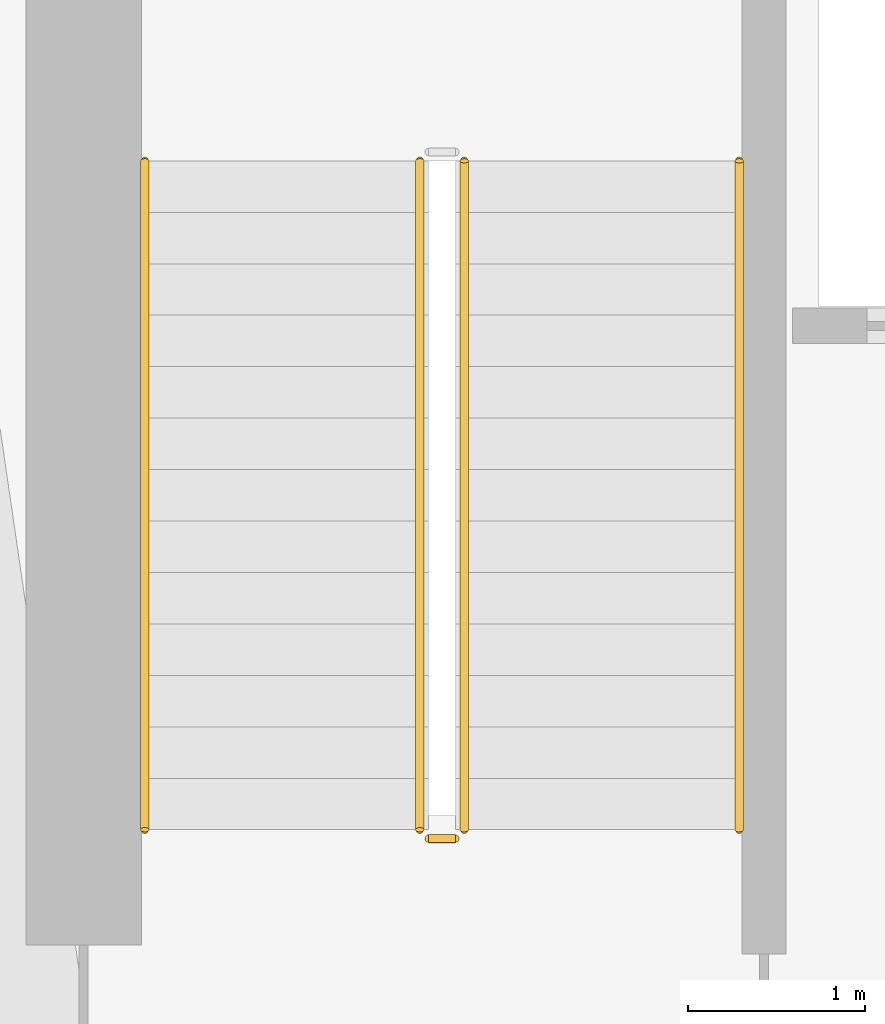
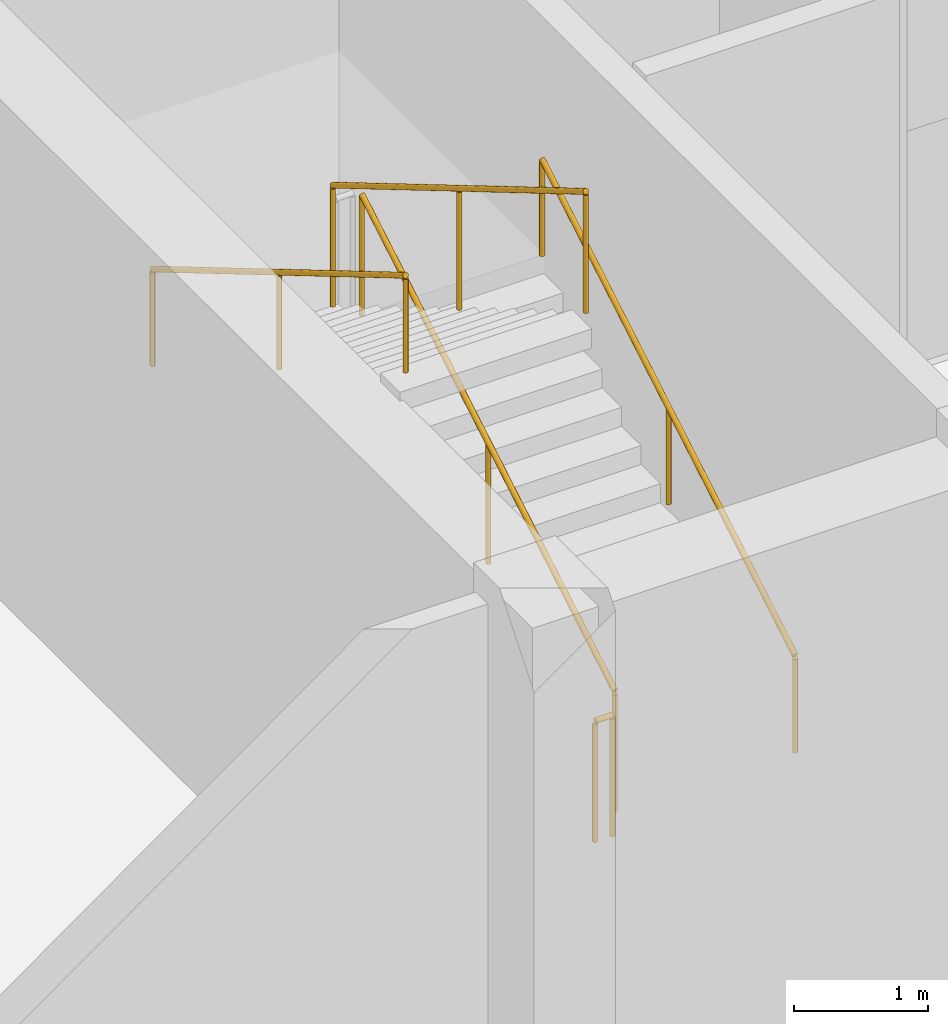
# One storey, part 11 of 13: 5 railings.
"""IFC4 building model written with IfcOpenShell, lengths in metres."""

from ifc_helpers import new_model, si_unit, direction, frame, origin, origin_2d, place, context, subcontext, project, spatial, circle, extrude, material, type_object, element, save


model = new_model("IFC4")

# Units and contexts
model_context = context("Model", 3, precision=1e-05, world=origin(), true_north=direction((0.0, 1.0)))
body_context = subcontext(model_context, "Body", "Model", "MODEL_VIEW")
ifc_project = project(units=[si_unit("LENGTHUNIT", "METRE"), si_unit("AREAUNIT", "SQUARE_METRE"), si_unit("VOLUMEUNIT", "CUBIC_METRE"), si_unit("PLANEANGLEUNIT", "RADIAN"), si_unit("MASSUNIT", "GRAM", prefix="KILO")], contexts=[model_context])

# Site, building, storey
site_placement = place(None, origin())
site = spatial("IfcSite", under=ifc_project, at=site_placement, CompositionType="ELEMENT")
building_placement = place(site_placement, origin())
building = spatial("IfcBuilding", under=site, at=building_placement, Name="Varnelok Gate Tower", CompositionType="ELEMENT")
storey_placement = place(building_placement, frame((0.0, 0.0, 253.39990234375)))
storey = spatial("IfcBuildingStorey", under=building, at=storey_placement, Name="L65", CompositionType="ELEMENT", Elevation=253.39990234375)

# Railings
ifc_material_1 = material(Name="Brushed Stainless Steel AISI 316", Category="steel")
railing_type_1 = type_object("IfcRailingType", Name="RL-HANDRAIL-900", PredefinedType="HANDRAIL", material=ifc_material_1)
railing_1_placement = place(storey_placement, frame((34.5, 31.60009765625, 0.171630859375)))
element("IfcRailing", 1, at=railing_1_placement, inside=storey, type_object=railing_type_1, Name="L65 ST-1 stair handrail 1", PredefinedType="HANDRAIL", context=body_context, shape_type="SweptSolid", body=[
    extrude(circle(Radius=0.02392578125, at=origin_2d()), frame((0.0, 0.0, 0.8759765625), z_axis=(0.0, 0.860848830602, 0.508860777473), x_axis=(-1.0, 0.0, 0.0)), (0.0, 0.0, 1.0), 4.37939453125),
    extrude(circle(Radius=0.02099609375, at=origin_2d()), origin(), (0.0, 0.0, 1.0), 0.851806640625),
    extrude(circle(Radius=0.02099609375, at=origin_2d()), frame((0.0, 1.885009765625, 1.1142578125)), (0.0, 0.0, 1.0), 0.851806640625),
    extrude(circle(Radius=0.02099609375, at=origin_2d()), frame((0.0, 3.77001953125, 2.228515625)), (0.0, 0.0, 1.0), 0.851806640625),
])
railing_2_placement = place(storey_placement, frame((31.14990234375, 35.3701171875, 2.571533203125)))
element("IfcRailing", 2, at=railing_2_placement, inside=storey, type_object=railing_type_1, Name="L65 ST-1 stair handrail 2", PredefinedType="HANDRAIL", context=body_context, shape_type="SweptSolid", body=[
    extrude(circle(Radius=0.02392578125, at=origin_2d()), frame((0.0, 0.0, 0.8759765625), z_axis=(0.0, -0.860848830602, 0.508860777473), x_axis=(1.0, 0.0, 0.0)), (0.0, 0.0, 1.0), 4.37939453125),
    extrude(circle(Radius=0.02099609375, at=origin_2d()), origin(), (0.0, 0.0, 1.0), 0.851806640625),
    extrude(circle(Radius=0.02099609375, at=origin_2d()), frame((0.0, -1.885009765625, 1.1142578125)), (0.0, 0.0, 1.0), 0.851806640625),
    extrude(circle(Radius=0.02099609375, at=origin_2d()), frame((0.0, -3.77001953125, 2.228515625)), (0.0, 0.0, 1.0), 0.851806640625),
])
ifc_material_2 = material(Name="Galvanized Steel Grade S350GD", Category="steel")
railing_type_2 = type_object("IfcRailingType", Name="RL-STAIR-GUARD1120", PredefinedType="GUARDRAIL", material=ifc_material_2)
railing_3_placement = place(storey_placement, frame((32.949951171875, 31.60009765625, 0.171630859375)))
element("IfcRailing", 3, at=railing_3_placement, inside=storey, type_object=railing_type_2, Name="L65 ST-1 stair guard 1", PredefinedType="GUARDRAIL", context=body_context, shape_type="SweptSolid", body=[
    extrude(circle(Radius=0.02392578125, at=origin_2d()), frame((0.0, 0.0, 1.09619140625), z_axis=(0.0, 0.860848830602, 0.508860777473), x_axis=(-1.0, 0.0, 0.0)), (0.0, 0.0, 1.0), 4.37939453125),
    extrude(circle(Radius=0.02099609375, at=origin_2d()), origin(), (0.0, 0.0, 1.0), 1.072021484375),
    extrude(circle(Radius=0.02099609375, at=origin_2d()), frame((0.0, 1.885009765625, 1.1142578125)), (0.0, 0.0, 1.0), 1.072021484375),
    extrude(circle(Radius=0.02099609375, at=origin_2d()), frame((0.0, 3.77001953125, 2.228515625)), (0.0, 0.0, 1.0), 1.072021484375),
])
railing_4_placement = place(storey_placement, frame((32.699951171875, 35.3701171875, 2.571533203125)))
element("IfcRailing", 4, at=railing_4_placement, inside=storey, type_object=railing_type_2, Name="L65 ST-1 stair guard 3", PredefinedType="GUARDRAIL", context=body_context, shape_type="SweptSolid", body=[
    extrude(circle(Radius=0.02392578125, at=origin_2d()), frame((0.0, 0.0, 1.09619140625), z_axis=(0.0, -0.860848830602, 0.508860777473), x_axis=(1.0, 0.0, 0.0)), (0.0, 0.0, 1.0), 4.37939453125),
    extrude(circle(Radius=0.02099609375, at=origin_2d()), origin(), (0.0, 0.0, 1.0), 1.072021484375),
    extrude(circle(Radius=0.02099609375, at=origin_2d()), frame((0.0, -1.885009765625, 1.1142578125)), (0.0, 0.0, 1.0), 1.072021484375),
    extrude(circle(Radius=0.02099609375, at=origin_2d()), frame((0.0, -3.77001953125, 2.228515625)), (0.0, 0.0, 1.0), 1.072021484375),
])
railing_5_placement = place(storey_placement, frame((32.89990234375, 31.550048828125, 0.0)))
element("IfcRailing", 5, at=railing_5_placement, inside=storey, type_object=railing_type_2, Name="L65 ST-1 stair guard 4", PredefinedType="GUARDRAIL", context=body_context, shape_type="SweptSolid", body=[
    extrude(circle(Radius=0.02392578125, at=origin_2d()), frame((0.0, 0.0, 1.09619140625), z_axis=(-1.0, 0.0, 0.0), x_axis=(0.0, -1.0, 0.0)), (0.0, 0.0, 1.0), 0.14990234375),
    extrude(circle(Radius=0.02099609375, at=origin_2d()), origin(), (0.0, 0.0, 1.0), 1.072021484375),
    extrude(circle(Radius=0.02099609375, at=origin_2d()), frame((-0.14990234375, 0.0, 0.0)), (0.0, 0.0, 1.0), 1.072021484375),
])

save(model, "model.ifc")
